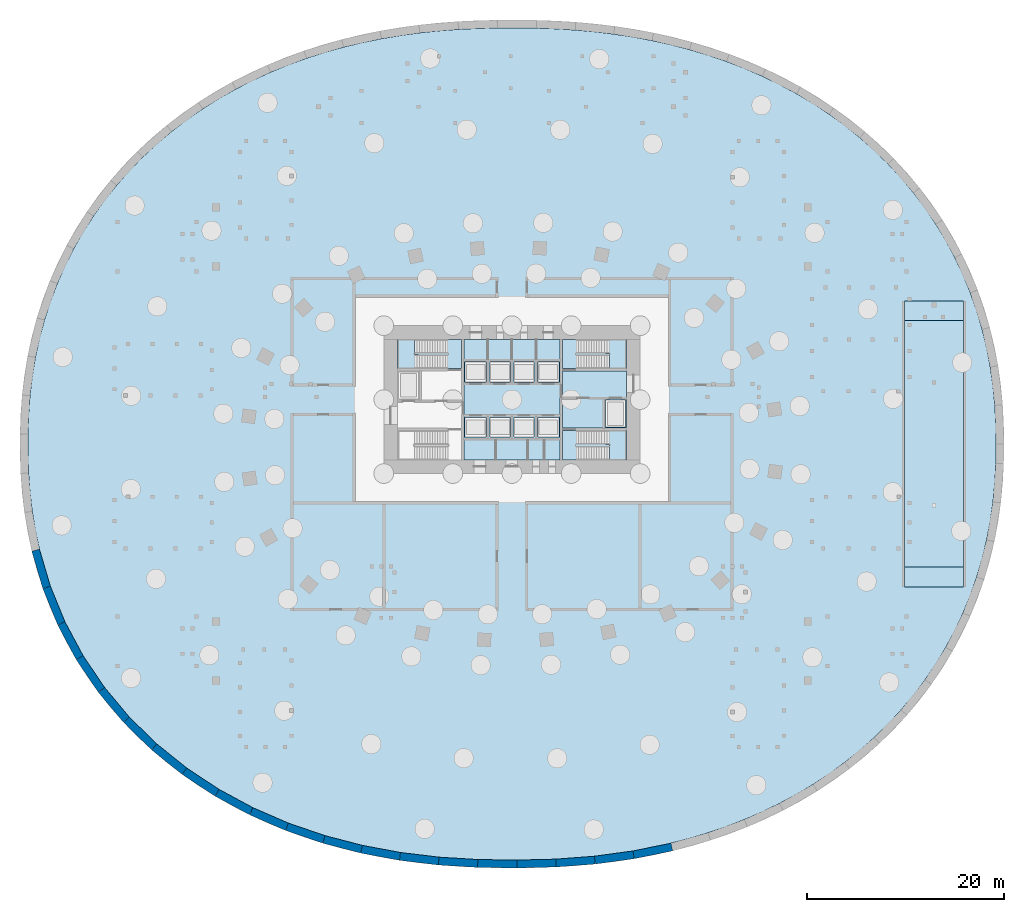
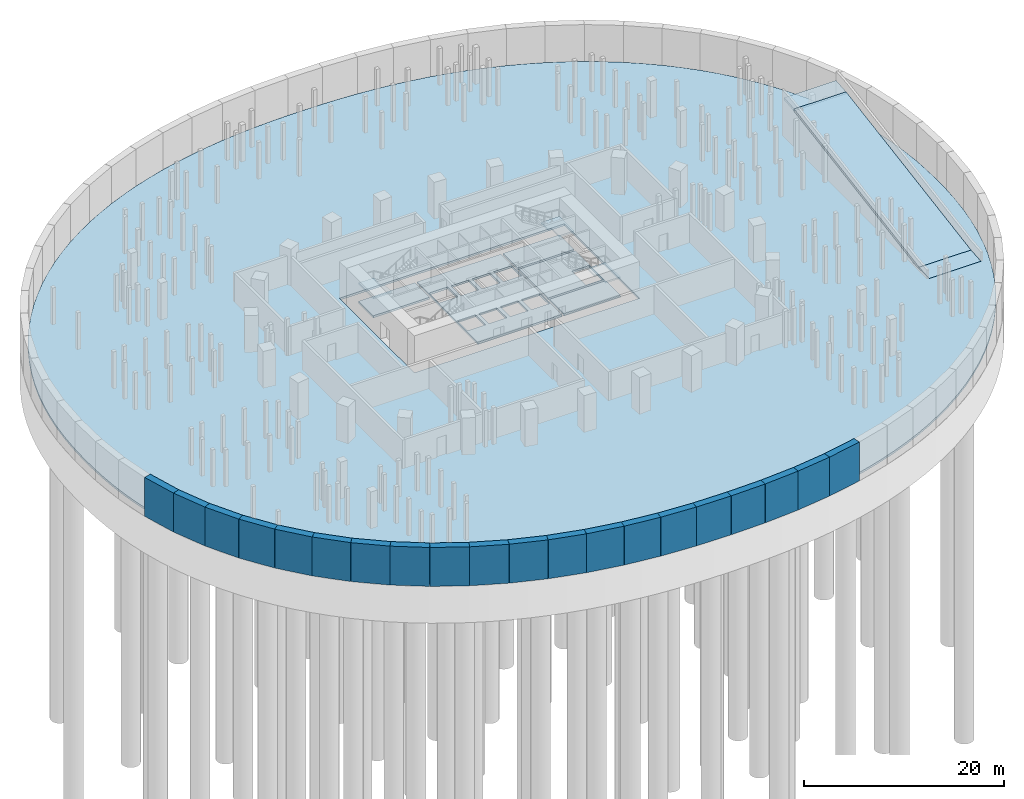
# One storey, part 3 of 10: 20 walls, 12 slabs, 3 elements without a shape of their own.
"""IFC4 building model written with IfcOpenShell, lengths in metres."""

from ifc_helpers import new_model, si_unit, direction, frame, frame_2d, origin, place, context, subcontext, project, spatial, polyline, rectangle, outline, extrude, material, layer, layer_set, type_object, element, aggregate, save


model = new_model("IFC4")

# Units and contexts
model_context = context("Model", 3, precision=1e-05, world=origin(), true_north=direction((0.0, 1.0)))
body_context = subcontext(model_context, "Body", "Model", "MODEL_VIEW")
ifc_project = project(units=[si_unit("LENGTHUNIT", "METRE"), si_unit("AREAUNIT", "SQUARE_METRE"), si_unit("VOLUMEUNIT", "CUBIC_METRE"), si_unit("PLANEANGLEUNIT", "RADIAN"), si_unit("MASSUNIT", "GRAM", prefix="KILO")], contexts=[model_context])

# Site, building, storey
site_placement = place(None, origin())
site = spatial("IfcSite", under=ifc_project, at=site_placement, CompositionType="ELEMENT")
building_placement = place(site_placement, origin())
building = spatial("IfcBuilding", under=site, at=building_placement, Name="Rubra Terraces Tower", CompositionType="ELEMENT")
storey_placement = place(building_placement, frame((0.0, 0.0, -15.0)))
storey = spatial("IfcBuildingStorey", under=building, at=storey_placement, Name="B3", CompositionType="ELEMENT", Elevation=-15.0)

# Slabs
ifc_material_1 = material(Name="Concrete C40", Category="concrete")
ifc_layer_1 = layer(ifc_material_1, 0.25)
ifc_layer_set_1 = layer_set([ifc_layer_1], Name="Concrete C40")
slab_type_1 = type_object("IfcSlabType", Name="Core floor slab 250 concrete", PredefinedType="FLOOR", material=ifc_layer_set_1)
slab_1_placement = place(storey_placement, frame((0.0, 0.0, -0.25)))
element("IfcSlab", 1, at=slab_1_placement, inside=storey, type_object=slab_type_1, Name="CORE FLOOR SLAB B3", PredefinedType="FLOOR", context=body_context, shape_type="SweptSolid", body=[
    extrude(outline(polyline([(4.85009765625, 10.60009765625), (4.85009765625, -1.60009765625), (-4.85009765625, -1.60009765625), (-4.85009765625, 10.60009765625), (4.85009765625, 10.60009765625)]), holes=[polyline([(4.75, 8.300048828125), (2.64990234375, 8.300048828125), (2.64990234375, 6.300048828125), (4.75, 6.300048828125), (4.75, 8.300048828125)]), polyline([(4.75, 2.699951171875), (2.64990234375, 2.699951171875), (2.64990234375, 0.699951171875), (4.75, 0.699951171875), (4.75, 2.699951171875)]), polyline([(0.199951171875, 2.699951171875), (0.199951171875, 0.699951171875), (2.25, 0.699951171875), (2.25, 2.699951171875), (0.199951171875, 2.699951171875)]), polyline([(2.25, 8.300048828125), (0.199951171875, 8.300048828125), (0.199951171875, 6.300048828125), (2.25, 6.300048828125), (2.25, 8.300048828125)]), polyline([(-2.25, 8.300048828125), (-2.25, 6.300048828125), (-0.199951171875, 6.300048828125), (-0.199951171875, 8.300048828125), (-2.25, 8.300048828125)]), polyline([(-2.25, 2.699951171875), (-2.25, 0.699951171875), (-0.199951171875, 0.699951171875), (-0.199951171875, 2.699951171875), (-2.25, 2.699951171875)]), polyline([(-4.75, 6.300048828125), (-2.64990234375, 6.300048828125), (-2.64990234375, 8.300048828125), (-4.75, 8.300048828125), (-4.75, 6.300048828125)]), polyline([(-4.75, 2.699951171875), (-4.75, 0.699951171875), (-2.64990234375, 0.699951171875), (-2.64990234375, 2.699951171875), (-4.75, 2.699951171875)])]), origin(), (0.0, 0.0, 1.0), 0.25),
])
slab_2_placement = place(storey_placement, frame((0.0, 0.0, -0.25)))
element("IfcSlab", 2, at=slab_2_placement, inside=storey, type_object=slab_type_1, Name="CORE FLOOR SLAB B3 2", PredefinedType="FLOOR", context=body_context, shape_type="SweptSolid", body=[
    extrude(outline(polyline([(11.60009765625, 1.60009765625), (5.10009765625, 1.60009765625), (5.10009765625, 7.39990234375), (11.60009765625, 7.39990234375), (11.60009765625, 1.60009765625)]), holes=[polyline([(11.5, 1.699951171875), (11.5, 4.449951171875), (9.5, 4.449951171875), (9.5, 1.699951171875), (11.5, 1.699951171875)])]), origin(), (0.0, 0.0, 1.0), 0.25),
])
slab_3_placement = place(storey_placement, frame((0.0, 0.0, -0.25)))
element("IfcSlab", 3, at=slab_3_placement, inside=storey, type_object=slab_type_1, Name="CORE FLOOR SLAB B3 4", PredefinedType="FLOOR", context=body_context, shape_type="SweptSolid", body=[
    extrude(outline(polyline([(11.60009765625, -1.60009765625), (5.10009765625, -1.60009765625), (5.10009765625, 1.35009765625), (11.60009765625, 1.35009765625), (11.60009765625, -1.60009765625)])), origin(), (0.0, 0.0, 1.0), 0.25),
])
slab_4_placement = place(storey_placement, frame((0.0, 0.0, -0.25)))
element("IfcSlab", 4, at=slab_4_placement, inside=storey, type_object=slab_type_1, Name="CORE FLOOR SLAB B3 6", PredefinedType="FLOOR", context=body_context, shape_type="SweptSolid", body=[
    extrude(outline(polyline([(11.60009765625, 10.60009765625), (11.60009765625, 7.64990234375), (5.10009765625, 7.64990234375), (5.10009765625, 10.60009765625), (11.60009765625, 10.60009765625)])), origin(), (0.0, 0.0, 1.0), 0.25),
])
slab_5_placement = place(storey_placement, frame((0.0, 0.0, -0.25)))
element("IfcSlab", 5, at=slab_5_placement, inside=storey, type_object=slab_type_1, Name="CORE FLOOR SLAB B3 7", PredefinedType="FLOOR", context=body_context, shape_type="SweptSolid", body=[
    extrude(outline(polyline([(-11.60009765625, 10.60009765625), (-5.10009765625, 10.60009765625), (-5.10009765625, 7.64990234375), (-11.60009765625, 7.64990234375), (-11.60009765625, 10.60009765625)])), origin(), (0.0, 0.0, 1.0), 0.25),
])

# Stair, slab
stair_type = type_object("IfcStairType", Name="Core stair 1400", PredefinedType="HALF_TURN_STAIR", material=ifc_material_1)
stair_1_placement = place(storey_placement, origin())
stair_1 = element("IfcStair", 6, at=stair_1_placement, inside=storey, type_object=stair_type, Name="B3 Exit stair S2", PredefinedType="HALF_TURN_STAIR")
ifc_layer_2 = layer(ifc_material_1, 0.199951171875)
ifc_layer_set_2 = layer_set([ifc_layer_2], Name="Concrete C40")
slab_type_2 = type_object("IfcSlabType", Name="Core stair landing 200", PredefinedType="LANDING", material=ifc_layer_set_2)
slab_6_placement = place(storey_placement, frame((0.0, 0.0, 2.050048828125)))
slab_6 = element("IfcSlab", 7, at=slab_6_placement, type_object=slab_type_2, Name="S2 landing 1", PredefinedType="LANDING", context=body_context, shape_type="SweptSolid", body=[
    extrude(outline(polyline([(-9.5, 9.050048828125), (-9.5, 7.64990234375), (-9.89990234375, 7.64990234375), (-11.60009765625, 7.64990234375), (-11.60009765625, 10.60009765625), (-9.89990234375, 10.60009765625), (-9.8798828125, 10.60009765625), (-9.8779296875, 10.60009765625), (-9.8779296875, 9.199951171875), (-9.8798828125, 9.199951171875), (-9.8798828125, 9.050048828125), (-9.5, 9.050048828125)])), origin(), (0.0, 0.0, 1.0), 0.199951171875),
])
aggregate(stair_1, [slab_6])

stair_2_placement = place(storey_placement, origin())
stair_2 = element("IfcStair", 8, at=stair_2_placement, inside=storey, type_object=stair_type, Name="B3 Exit stair S3", PredefinedType="HALF_TURN_STAIR")
slab_7_placement = place(storey_placement, frame((0.0, 0.0, 2.050048828125)))
slab_7 = element("IfcSlab", 9, at=slab_7_placement, type_object=slab_type_2, Name="S3 landing 1", PredefinedType="LANDING", context=body_context, shape_type="SweptSolid", body=[
    extrude(outline(polyline([(9.8798828125, 9.050048828125), (9.8798828125, 9.199951171875), (9.5, 9.199951171875), (9.5, 10.60009765625), (9.8798828125, 10.60009765625), (9.89990234375, 10.60009765625), (11.60009765625, 10.60009765625), (11.60009765625, 7.64990234375), (9.89990234375, 7.64990234375), (9.8779296875, 7.64990234375), (9.8779296875, 9.050048828125), (9.8798828125, 9.050048828125)])), origin(), (0.0, 0.0, 1.0), 0.199951171875),
])
aggregate(stair_2, [slab_7])

stair_3_placement = place(storey_placement, origin())
stair_3 = element("IfcStair", 10, at=stair_3_placement, inside=storey, type_object=stair_type, Name="B3 Exit stair S4", PredefinedType="HALF_TURN_STAIR")
slab_8_placement = place(storey_placement, frame((0.0, 0.0, 2.050048828125)))
slab_8 = element("IfcSlab", 11, at=slab_8_placement, type_object=slab_type_2, Name="S4 landing 1", PredefinedType="LANDING", context=body_context, shape_type="SweptSolid", body=[
    extrude(outline(polyline([(9.8798828125, -0.199951171875), (9.8798828125, -0.050048828125), (9.5, -0.050048828125), (9.5, 1.35009765625), (9.8798828125, 1.35009765625), (9.89990234375, 1.35009765625), (11.60009765625, 1.35009765625), (11.60009765625, -1.60009765625), (9.89990234375, -1.60009765625), (9.8798828125, -1.60009765625), (9.8779296875, -1.60009765625), (9.8779296875, -0.199951171875), (9.8798828125, -0.199951171875)])), origin(), (0.0, 0.0, 1.0), 0.199951171875),
])
aggregate(stair_3, [slab_8])

# Slabs
ifc_layer_3 = layer(ifc_material_1, 0.25)
ifc_layer_set_3 = layer_set([ifc_layer_3], Name="Concrete C40")
slab_type_3 = type_object("IfcSlabType", Name="FLOOR SLAB 250 COMPOSITE", PredefinedType="FLOOR", material=ifc_layer_set_3)
slab_9_placement = place(storey_placement, frame((0.0, 0.0, -0.25)))
element("IfcSlab", 12, at=slab_9_placement, inside=storey, type_object=slab_type_3, Name="FLOOR SLAB B3", PredefinedType="FLOOR", context=body_context, shape_type="SweptSolid", body=[
    extrude(outline(polyline([(48.968017578125, -3.923095703125), (49.071044921875, -1.965087890625), (49.10009765625, 0.0), (49.071044921875, 1.965087890625), (48.968017578125, 3.923095703125), (48.781005859375, 5.87109375), (48.508056640625, 7.806884765625), (48.14208984375, 9.72607421875), (47.68310546875, 11.6240234375), (47.1298828125, 13.49609375), (46.48388671875, 15.337890625), (45.743896484375, 17.14404296875), (44.9130859375, 18.907958984375), (43.991943359375, 20.62890625), (42.98291015625, 22.299072265625), (41.889892578125, 23.9150390625), (40.715087890625, 25.472900390625), (39.4619140625, 26.969970703125), (38.135009765625, 28.403076171875), (36.739990234375, 29.76806640625), (35.278076171875, 31.06396484375), (33.7548828125, 32.2890625), (32.176025390625, 33.44091796875), (30.5439453125, 34.51904296875), (28.864013671875, 35.52197265625), (27.14111328125, 36.451904296875), (25.37890625, 37.306884765625), (23.58203125, 38.087890625), (21.75390625, 38.794921875), (19.89794921875, 39.429931640625), (18.01806640625, 39.9951171875), (16.117919921875, 40.489013671875), (14.200927734375, 40.9150390625), (12.26904296875, 41.27587890625), (10.324951171875, 41.572021484375), (8.37109375, 41.806884765625), (6.409912109375, 41.98388671875), (4.443115234375, 42.10498046875), (2.470947265625, 42.174072265625), (0.493896484375, 42.198974609375), (-1.48291015625, 42.19189453125), (-3.45703125, 42.14501953125), (-5.427001953125, 42.050048828125), (-7.39111328125, 41.903076171875), (-9.34912109375, 41.697998046875), (-11.298095703125, 41.431884765625), (-13.237060546875, 41.10302734375), (-15.162109375, 40.7109375), (-17.071044921875, 40.2509765625), (-18.9609375, 39.721923828125), (-20.8291015625, 39.1220703125), (-22.6708984375, 38.450927734375), (-24.485107421875, 37.7060546875), (-26.264892578125, 36.888916015625), (-28.008056640625, 35.9970703125), (-29.708984375, 35.030029296875), (-31.365966796875, 33.989013671875), (-32.970947265625, 32.8740234375), (-34.52392578125, 31.68505859375), (-36.01708984375, 30.425048828125), (-37.446044921875, 29.093994140625), (-38.80810546875, 27.694091796875), (-40.097900390625, 26.22900390625), (-41.31201171875, 24.700927734375), (-42.447021484375, 23.114013671875), (-43.498046875, 21.469970703125), (-44.464111328125, 19.77490234375), (-45.340087890625, 18.031982421875), (-46.125, 16.24609375), (-46.819091796875, 14.4208984375), (-47.4189453125, 12.56298828125), (-47.924072265625, 10.677978515625), (-48.3359375, 8.76904296875), (-48.656005859375, 6.841064453125), (-48.885009765625, 4.89892578125), (-49.029052734375, 2.945068359375), (-49.093994140625, 0.98291015625), (-49.093994140625, -0.98291015625), (-49.029052734375, -2.945068359375), (-48.885009765625, -4.89892578125), (-48.656005859375, -6.841064453125), (-48.3359375, -8.76904296875), (-47.924072265625, -10.677978515625), (-47.4189453125, -12.56298828125), (-46.819091796875, -14.4208984375), (-46.125, -16.24609375), (-45.340087890625, -18.031982421875), (-44.464111328125, -19.77490234375), (-43.498046875, -21.469970703125), (-42.447021484375, -23.114013671875), (-41.31201171875, -24.700927734375), (-40.097900390625, -26.22900390625), (-38.80810546875, -27.694091796875), (-37.446044921875, -29.093994140625), (-36.01708984375, -30.425048828125), (-34.52392578125, -31.68505859375), (-32.970947265625, -32.8740234375), (-31.365966796875, -33.989013671875), (-29.708984375, -35.030029296875), (-28.008056640625, -35.9970703125), (-26.264892578125, -36.888916015625), (-24.485107421875, -37.7060546875), (-22.6708984375, -38.450927734375), (-20.8291015625, -39.1220703125), (-18.9609375, -39.721923828125), (-17.071044921875, -40.2509765625), (-15.162109375, -40.7109375), (-13.237060546875, -41.10302734375), (-11.298095703125, -41.431884765625), (-9.34912109375, -41.697998046875), (-7.39111328125, -41.903076171875), (-5.427001953125, -42.050048828125), (-3.45703125, -42.14501953125), (-1.48291015625, -42.19189453125), (0.493896484375, -42.198974609375), (2.470947265625, -42.174072265625), (4.443115234375, -42.10498046875), (6.409912109375, -41.98388671875), (8.37109375, -41.806884765625), (10.324951171875, -41.572021484375), (12.26904296875, -41.27587890625), (14.200927734375, -40.9150390625), (16.117919921875, -40.489013671875), (18.01806640625, -39.9951171875), (19.89794921875, -39.429931640625), (21.75390625, -38.794921875), (23.58203125, -38.087890625), (25.37890625, -37.306884765625), (27.14111328125, -36.451904296875), (28.864013671875, -35.52197265625), (30.5439453125, -34.51904296875), (32.176025390625, -33.44091796875), (33.7548828125, -32.2890625), (35.278076171875, -31.06396484375), (36.739990234375, -29.76806640625), (38.135009765625, -28.403076171875), (39.4619140625, -26.969970703125), (40.715087890625, -25.472900390625), (41.889892578125, -23.9150390625), (42.98291015625, -22.299072265625), (43.991943359375, -20.62890625), (44.9130859375, -18.907958984375), (45.743896484375, -17.14404296875), (46.48388671875, -15.337890625), (47.1298828125, -13.49609375), (47.68310546875, -11.6240234375), (48.14208984375, -9.72607421875), (48.508056640625, -7.806884765625), (48.781005859375, -5.87109375), (48.968017578125, -3.923095703125)]), holes=[polyline([(-13.0, 12.0), (13.0, 12.0), (13.0, -3.0), (-13.0, -3.0), (-13.0, 12.0)]), polyline([(45.800048828125, -11.300048828125), (45.800048828125, -14.5), (39.800048828125, -14.5), (39.800048828125, -11.300048828125), (45.800048828125, -11.300048828125)])]), origin(), (0.0, 0.0, 1.0), 0.25),
])
ifc_material_2 = material(Name="Concrete C40/50", Category="concrete")
ifc_layer_4 = layer(ifc_material_2, 0.300048828125)
ifc_layer_set_4 = layer_set([ifc_layer_4], Name="Concrete C40/50")
slab_type_4 = type_object("IfcSlabType", Name="Vehicle ramp slab 300", PredefinedType="FLOOR", material=ifc_layer_set_4)
slab_10_placement = place(storey_placement, frame((45.800048828125, -14.5, 0.0), z_axis=(0.0, -0.083206556192, 0.996532322108), x_axis=(0.0, 0.996532322108, 0.083206556192)))
element("IfcSlab", 13, at=slab_10_placement, inside=storey, type_object=slab_type_4, Name="Vehicle ramp B3 to B2", PredefinedType="FLOOR", context=body_context, shape_type="SweptSolid", body=[
    extrude(outline(polyline([(0.0, 0.0), (2.0069594890495512, 0.0), (2.0069594890495512, 6.0), (0.0, 6.0), (0.0, 0.0)])), origin(), (0.0, 0.0, -1.0), 0.300048828125),
])
slab_11_placement = place(storey_placement, frame((45.800048828125, -12.5, 0.1669921875), z_axis=(0.0, -0.164373994058, 0.986398089048), x_axis=(0.0, 0.986398089048, 0.164373994058)))
element("IfcSlab", 14, at=slab_11_placement, inside=storey, type_object=slab_type_4, Name="Vehicle ramp B3 to B2", PredefinedType="FLOOR", context=body_context, shape_type="SweptSolid", body=[
    extrude(outline(polyline([(0.0, 0.0), (25.344736853787694, 0.0), (25.344736853787694, 6.0), (0.0, 6.0), (0.0, 0.0)])), origin(), (0.0, 0.0, -1.0), 0.300048828125),
])
slab_12_placement = place(storey_placement, frame((45.800048828125, 12.5, 4.3330078125), z_axis=(0.0, -0.083206556192, 0.996532322108), x_axis=(0.0, 0.996532322108, 0.083206556192)))
element("IfcSlab", 15, at=slab_12_placement, inside=storey, type_object=slab_type_4, Name="Vehicle ramp B3 to B2", PredefinedType="FLOOR", context=body_context, shape_type="SweptSolid", body=[
    extrude(outline(polyline([(0.0, 0.0), (2.0069594890495512, 0.0), (2.0069594890495512, 6.0), (0.0, 6.0), (0.0, 0.0)])), origin(), (0.0, 0.0, -1.0), 0.300048828125),
])

# Walls
ifc_layer_5 = layer(ifc_material_1, 0.800048828125)
ifc_layer_set_5 = layer_set([ifc_layer_5], Name="Concrete C40")
wall_type = type_object("IfcWallType", Name="BASEMENT WALL 800", PredefinedType="SOLIDWALL", material=ifc_layer_set_5)
wall_1_placement = place(storey_placement, frame((16.2119140625, -40.8779296875, -0.25), z_axis=(0.0, 0.0, 1.0), x_axis=(-0.979755666471, -0.200196988034, 0.0)))
element("IfcWall", 16, at=wall_1_placement, inside=storey, type_object=wall_type, Name="wall-B3-basement-016", PredefinedType="SOLIDWALL", context=body_context, shape_type="SweptSolid", body=[
    extrude(rectangle(XDim=3.9560546875, YDim=0.800048828125, at=frame_2d((1.97802734375, 0.0))), origin(), (0.0, 0.0, 1.0), 4.75),
])
wall_2_placement = place(storey_placement, frame((12.3359375, -41.669921875, -0.25), z_axis=(0.0, 0.0, 1.0), x_axis=(-0.990822661728, -0.135168239638, 0.0)))
element("IfcWall", 17, at=wall_2_placement, inside=storey, type_object=wall_type, Name="wall-B3-basement-017", PredefinedType="SOLIDWALL", context=body_context, shape_type="SweptSolid", body=[
    extrude(rectangle(XDim=3.959228515625, YDim=0.800048828125, at=frame_2d((1.9794921875, 0.0))), origin(), (0.0, 0.0, 1.0), 4.75),
])
wall_3_placement = place(storey_placement, frame((8.4130859375, -42.205078125, -0.25), z_axis=(0.0, 0.0, 1.0), x_axis=(-0.997152243414, -0.075414875552, 0.0)))
element("IfcWall", 18, at=wall_3_placement, inside=storey, type_object=wall_type, Name="wall-B3-basement-018", PredefinedType="SOLIDWALL", context=body_context, shape_type="SweptSolid", body=[
    extrude(rectangle(XDim=3.96240234375, YDim=0.800048828125, at=frame_2d((1.981201171875, 0.0))), origin(), (0.0, 0.0, 1.0), 4.75),
])
wall_4_placement = place(storey_placement, frame((4.4619140625, -42.50390625, -0.25), z_axis=(0.0, 0.0, 1.0), x_axis=(-0.999711911745, -0.02400194814, 0.0)))
element("IfcWall", 19, at=wall_4_placement, inside=storey, type_object=wall_type, Name="wall-B3-basement-019", PredefinedType="SOLIDWALL", context=body_context, shape_type="SweptSolid", body=[
    extrude(rectangle(XDim=3.967041015625, YDim=0.800048828125, at=frame_2d((1.9833984375, 0.0))), origin(), (0.0, 0.0, 1.0), 4.75),
])
wall_5_placement = place(storey_placement, frame((0.49609375, -42.59912109375, -0.25), z_axis=(0.0, 0.0, 1.0), x_axis=(-0.999906682761, 0.013661104288, 0.0)))
element("IfcWall", 20, at=wall_5_placement, inside=storey, type_object=wall_type, Name="wall-B3-basement-020", PredefinedType="SOLIDWALL", context=body_context, shape_type="SweptSolid", body=[
    extrude(rectangle(XDim=3.967529296875, YDim=0.800048828125, at=frame_2d((1.98388671875, 0.0))), origin(), (0.0, 0.0, 1.0), 4.75),
])
wall_6_placement = place(storey_placement, frame((-3.470947265625, -42.544921875, -0.25), z_axis=(0.0, 0.0, 1.0), x_axis=(-0.998104950185, 0.06153461153, 0.0)))
element("IfcWall", 21, at=wall_6_placement, inside=storey, type_object=wall_type, Name="wall-B3-basement-021", PredefinedType="SOLIDWALL", context=body_context, shape_type="SweptSolid", body=[
    extrude(rectangle(XDim=3.963623046875, YDim=0.800048828125, at=frame_2d((1.98193359375, 0.0))), origin(), (0.0, 0.0, 1.0), 4.75),
])
wall_7_placement = place(storey_placement, frame((-7.427001953125, -42.301025390625, -0.25), z_axis=(0.0, 0.0, 1.0), x_axis=(-0.992804589286, 0.119745761903, 0.0)))
element("IfcWall", 22, at=wall_7_placement, inside=storey, type_object=wall_type, Name="wall-B3-basement-022", PredefinedType="SOLIDWALL", context=body_context, shape_type="SweptSolid", body=[
    extrude(rectangle(XDim=3.95947265625, YDim=0.800048828125, at=frame_2d((1.979736328125, 0.0))), origin(), (0.0, 0.0, 1.0), 4.75),
])
wall_8_placement = place(storey_placement, frame((-11.35791015625, -41.826904296875, -0.25), z_axis=(0.0, 0.0, 1.0), x_axis=(-0.983043530822, 0.183372343904, 0.0)))
element("IfcWall", 23, at=wall_8_placement, inside=storey, type_object=wall_type, Name="wall-B3-basement-023", PredefinedType="SOLIDWALL", context=body_context, shape_type="SweptSolid", body=[
    extrude(rectangle(XDim=3.958251953125, YDim=0.800048828125, at=frame_2d((1.97900390625, 0.0))), origin(), (0.0, 0.0, 1.0), 4.75),
])
wall_9_placement = place(storey_placement, frame((-15.2490234375, -41.10107421875, -0.25), z_axis=(0.0, 0.0, 1.0), x_axis=(-0.96775481132, 0.251894075291, 0.0)))
element("IfcWall", 24, at=wall_9_placement, inside=storey, type_object=wall_type, Name="wall-B3-basement-024", PredefinedType="SOLIDWALL", context=body_context, shape_type="SweptSolid", body=[
    extrude(rectangle(XDim=3.954345703125, YDim=0.800048828125, at=frame_2d((1.97705078125, 0.0))), origin(), (0.0, 0.0, 1.0), 4.75),
])
wall_10_placement = place(storey_placement, frame((-19.075927734375, -40.10498046875, -0.25), z_axis=(0.0, 0.0, 1.0), x_axis=(-0.946019018059, 0.324111119018, 0.0)))
element("IfcWall", 25, at=wall_10_placement, inside=storey, type_object=wall_type, Name="wall-B3-basement-025", PredefinedType="SOLIDWALL", context=body_context, shape_type="SweptSolid", body=[
    extrude(rectangle(XDim=3.952392578125, YDim=0.800048828125, at=frame_2d((1.97607421875, 0.0))), origin(), (0.0, 0.0, 1.0), 4.75),
])
wall_11_placement = place(storey_placement, frame((-22.81494140625, -38.823974609375, -0.25), z_axis=(0.0, 0.0, 1.0), x_axis=(-0.917135856033, 0.398574737757, 0.0)))
element("IfcWall", 26, at=wall_11_placement, inside=storey, type_object=wall_type, Name="wall-B3-basement-026", PredefinedType="SOLIDWALL", context=body_context, shape_type="SweptSolid", body=[
    extrude(rectangle(XDim=3.951416015625, YDim=0.800048828125, at=frame_2d((1.9755859375, 0.0))), origin(), (0.0, 0.0, 1.0), 4.75),
])
wall_12_placement = place(storey_placement, frame((-26.43896484375, -37.2490234375, -0.25), z_axis=(0.0, 0.0, 1.0), x_axis=(-0.879966388583, 0.475035951234, 0.0)))
element("IfcWall", 27, at=wall_12_placement, inside=storey, type_object=wall_type, Name="wall-B3-basement-027", PredefinedType="SOLIDWALL", context=body_context, shape_type="SweptSolid", body=[
    extrude(rectangle(XDim=3.94921875, YDim=0.800048828125, at=frame_2d((1.974609375, 0.0))), origin(), (0.0, 0.0, 1.0), 4.75),
])
wall_13_placement = place(storey_placement, frame((-29.9140625, -35.373046875, -0.25), z_axis=(0.0, 0.0, 1.0), x_axis=(-0.834298741372, 0.551312624692, 0.0)))
element("IfcWall", 28, at=wall_13_placement, inside=storey, type_object=wall_type, Name="wall-B3-basement-028", PredefinedType="SOLIDWALL", context=body_context, shape_type="SweptSolid", body=[
    extrude(rectangle(XDim=3.947021484375, YDim=0.800048828125, at=frame_2d((1.9736328125, 0.0))), origin(), (0.0, 0.0, 1.0), 4.75),
])
wall_14_placement = place(storey_placement, frame((-33.20703125, -33.197021484375, -0.25), z_axis=(0.0, 0.0, 1.0), x_axis=(-0.779266654886, 0.626692492841, 0.0)))
element("IfcWall", 29, at=wall_14_placement, inside=storey, type_object=wall_type, Name="wall-B3-basement-029", PredefinedType="SOLIDWALL", context=body_context, shape_type="SweptSolid", body=[
    extrude(rectangle(XDim=3.946044921875, YDim=0.800048828125, at=frame_2d((1.97314453125, 0.0))), origin(), (0.0, 0.0, 1.0), 4.75),
])
wall_15_placement = place(storey_placement, frame((-36.281982421875, -30.72412109375, -0.25), z_axis=(0.0, 0.0, 1.0), x_axis=(-0.714802407758, 0.699326474447, 0.0)))
element("IfcWall", 30, at=wall_15_placement, inside=storey, type_object=wall_type, Name="wall-B3-basement-030", PredefinedType="SOLIDWALL", context=body_context, shape_type="SweptSolid", body=[
    extrude(rectangle(XDim=3.94384765625, YDim=0.800048828125, at=frame_2d((1.971923828125, 0.0))), origin(), (0.0, 0.0, 1.0), 4.75),
])
wall_16_placement = place(storey_placement, frame((-39.10107421875, -27.966064453125, -0.25), z_axis=(0.0, 0.0, 1.0), x_axis=(-0.641663169407, 0.766986555962, 0.0)))
element("IfcWall", 31, at=wall_16_placement, inside=storey, type_object=wall_type, Name="wall-B3-basement-031", PredefinedType="SOLIDWALL", context=body_context, shape_type="SweptSolid", body=[
    extrude(rectangle(XDim=3.94287109375, YDim=0.800048828125, at=frame_2d((1.971435546875, 0.0))), origin(), (0.0, 0.0, 1.0), 4.75),
])
wall_17_placement = place(storey_placement, frame((-41.631103515625, -24.94189453125, -0.25), z_axis=(0.0, 0.0, 1.0), x_axis=(-0.560375599992, 0.828238605073, 0.0)))
element("IfcWall", 32, at=wall_17_placement, inside=storey, type_object=wall_type, Name="wall-B3-basement-032", PredefinedType="SOLIDWALL", context=body_context, shape_type="SweptSolid", body=[
    extrude(rectangle(XDim=3.94189453125, YDim=0.800048828125, at=frame_2d((1.970947265625, 0.0))), origin(), (0.0, 0.0, 1.0), 4.75),
])
wall_18_placement = place(storey_placement, frame((-43.840087890625, -21.677001953125, -0.25), z_axis=(0.0, 0.0, 1.0), x_axis=(-0.472252344844, 0.88146339844, 0.0)))
element("IfcWall", 33, at=wall_18_placement, inside=storey, type_object=wall_type, Name="wall-B3-basement-033", PredefinedType="SOLIDWALL", context=body_context, shape_type="SweptSolid", body=[
    extrude(rectangle(XDim=3.9423828125, YDim=0.800048828125, at=frame_2d((1.97119140625, 0.0))), origin(), (0.0, 0.0, 1.0), 4.75),
])
wall_19_placement = place(storey_placement, frame((-45.701904296875, -18.201904296875, -0.25), z_axis=(0.0, 0.0, 1.0), x_axis=(-0.378936605843, 0.925422632505, 0.0)))
element("IfcWall", 34, at=wall_19_placement, inside=storey, type_object=wall_type, Name="wall-B3-basement-034", PredefinedType="SOLIDWALL", context=body_context, shape_type="SweptSolid", body=[
    extrude(rectangle(XDim=3.94287109375, YDim=0.800048828125, at=frame_2d((1.971435546875, 0.0))), origin(), (0.0, 0.0, 1.0), 4.75),
])
wall_20_placement = place(storey_placement, frame((-47.196044921875, -14.552978515625, -0.25), z_axis=(0.0, 0.0, 1.0), x_axis=(-0.283306014668, 0.959029562659, 0.0)))
element("IfcWall", 35, at=wall_20_placement, inside=storey, type_object=wall_type, Name="wall-B3-basement-035", PredefinedType="SOLIDWALL", context=body_context, shape_type="SweptSolid", body=[
    extrude(rectangle(XDim=3.942626953125, YDim=0.800048828125, at=frame_2d((1.97119140625, 0.0))), origin(), (0.0, 0.0, 1.0), 4.75),
])

save(model, "model.ifc")
